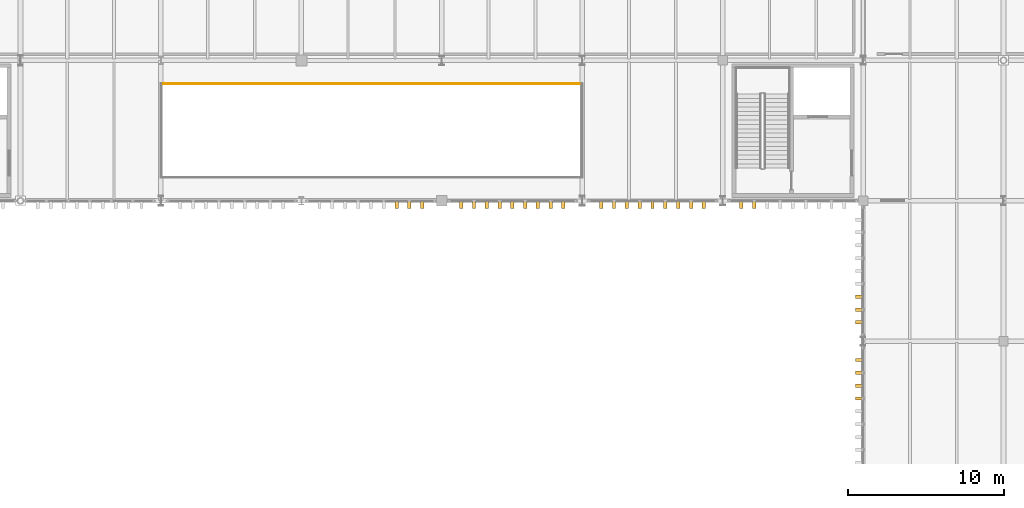
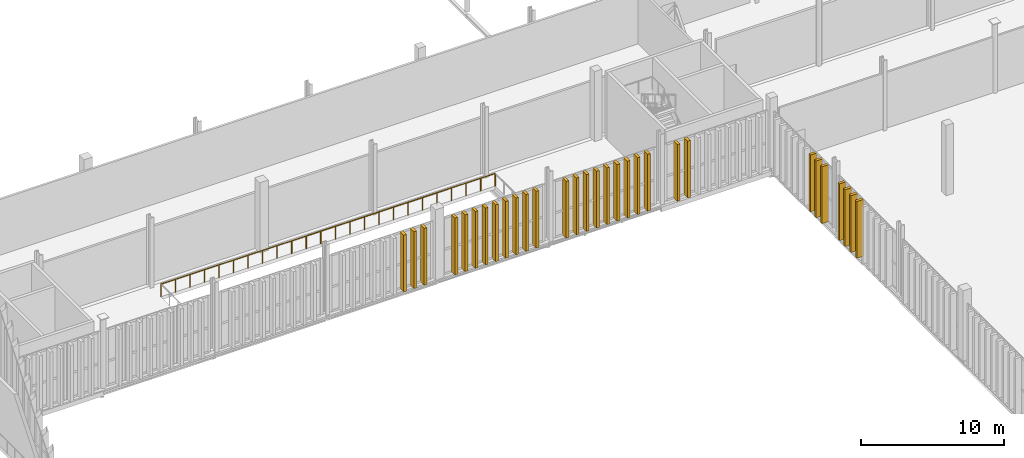
# One storey, part 220 of 237: 30 shading devices, 1 railing.
"""IFC4 building model written with IfcOpenShell, lengths in metres."""

from ifc_helpers import new_model, si_unit, direction, frame, origin, origin_2d, place, context, subcontext, project, spatial, rectangle, circle, extrude, material, type_object, element, save


model = new_model("IFC4")

# Units and contexts
model_context = context("Model", 3, precision=1e-05, world=origin(), true_north=direction((0.0, 1.0)))
body_context = subcontext(model_context, "Body", "Model", "MODEL_VIEW")
ifc_project = project(units=[si_unit("LENGTHUNIT", "METRE"), si_unit("AREAUNIT", "SQUARE_METRE"), si_unit("VOLUMEUNIT", "CUBIC_METRE"), si_unit("PLANEANGLEUNIT", "RADIAN"), si_unit("MASSUNIT", "GRAM", prefix="KILO")], contexts=[model_context])

# Site, building, storey
site_placement = place(None, origin())
site = spatial("IfcSite", under=ifc_project, at=site_placement, CompositionType="ELEMENT")
building_placement = place(site_placement, origin())
building = spatial("IfcBuilding", under=site, at=building_placement, Name="Barlavento Convention Centre", CompositionType="ELEMENT")
storey_placement = place(building_placement, frame((0.0, 0.0, 12.0)))
storey = spatial("IfcBuildingStorey", under=building, at=storey_placement, Name="L02", CompositionType="ELEMENT", Elevation=12.0)

# Railing
ifc_material_1 = material(Name="Stainless steel and laminated glass balustrade", Category="steel")
railing_type = type_object("IfcRailingType", Name="ARC-RAL-BAL-1100", PredefinedType="BALUSTRADE", material=ifc_material_1)
railing_placement = place(storey_placement, frame((108.0, 52.5, 0.0)))
element("IfcRailing", 1, at=railing_placement, inside=storey, type_object=railing_type, Name="L02 interior atrium or gallery balustrade GR01", PredefinedType="BALUSTRADE", context=body_context, shape_type="SweptSolid", body=[
    extrude(circle(Radius=0.02392578125, at=origin_2d()), frame((0.0, 0.0, 1.076171875), z_axis=(-1.0, 0.0, 0.0), x_axis=(0.0, -1.0, 0.0)), (0.0, 0.0, 1.0), 27.0),
    extrude(circle(Radius=0.02099609375, at=origin_2d()), origin(), (0.0, 0.0, 1.0), 1.052001953125),
    extrude(circle(Radius=0.02099609375, at=origin_2d()), frame((-1.173828125, 0.0, 0.0)), (0.0, 0.0, 1.0), 1.052001953125),
    extrude(circle(Radius=0.02099609375, at=origin_2d()), frame((-2.347900390625, 0.0, 0.0)), (0.0, 0.0, 1.0), 1.052001953125),
    extrude(circle(Radius=0.02099609375, at=origin_2d()), frame((-3.521728515625, 0.0, 0.0)), (0.0, 0.0, 1.0), 1.052001953125),
    extrude(circle(Radius=0.02099609375, at=origin_2d()), frame((-4.695556640625, 0.0, 0.0)), (0.0, 0.0, 1.0), 1.052001953125),
    extrude(circle(Radius=0.02099609375, at=origin_2d()), frame((-5.86962890625, 0.0, 0.0)), (0.0, 0.0, 1.0), 1.052001953125),
    extrude(circle(Radius=0.02099609375, at=origin_2d()), frame((-7.04345703125, 0.0, 0.0)), (0.0, 0.0, 1.0), 1.052001953125),
    extrude(circle(Radius=0.02099609375, at=origin_2d()), frame((-8.21728515625, 0.0, 0.0)), (0.0, 0.0, 1.0), 1.052001953125),
    extrude(circle(Radius=0.02099609375, at=origin_2d()), frame((-9.391357421875, 0.0, 0.0)), (0.0, 0.0, 1.0), 1.052001953125),
    extrude(circle(Radius=0.02099609375, at=origin_2d()), frame((-10.565185546875, 0.0, 0.0)), (0.0, 0.0, 1.0), 1.052001953125),
    extrude(circle(Radius=0.02099609375, at=origin_2d()), frame((-11.739013671875, 0.0, 0.0)), (0.0, 0.0, 1.0), 1.052001953125),
    extrude(circle(Radius=0.02099609375, at=origin_2d()), frame((-12.9130859375, 0.0, 0.0)), (0.0, 0.0, 1.0), 1.052001953125),
    extrude(circle(Radius=0.02099609375, at=origin_2d()), frame((-14.0869140625, 0.0, 0.0)), (0.0, 0.0, 1.0), 1.052001953125),
    extrude(circle(Radius=0.02099609375, at=origin_2d()), frame((-15.260986328125, 0.0, 0.0)), (0.0, 0.0, 1.0), 1.052001953125),
    extrude(circle(Radius=0.02099609375, at=origin_2d()), frame((-16.434814453125, 0.0, 0.0)), (0.0, 0.0, 1.0), 1.052001953125),
    extrude(circle(Radius=0.02099609375, at=origin_2d()), frame((-17.608642578125, 0.0, 0.0)), (0.0, 0.0, 1.0), 1.052001953125),
    extrude(circle(Radius=0.02099609375, at=origin_2d()), frame((-18.78271484375, 0.0, 0.0)), (0.0, 0.0, 1.0), 1.052001953125),
    extrude(circle(Radius=0.02099609375, at=origin_2d()), frame((-19.95654296875, 0.0, 0.0)), (0.0, 0.0, 1.0), 1.052001953125),
    extrude(circle(Radius=0.02099609375, at=origin_2d()), frame((-21.13037109375, 0.0, 0.0)), (0.0, 0.0, 1.0), 1.052001953125),
    extrude(circle(Radius=0.02099609375, at=origin_2d()), frame((-22.304443359375, 0.0, 0.0)), (0.0, 0.0, 1.0), 1.052001953125),
    extrude(circle(Radius=0.02099609375, at=origin_2d()), frame((-23.478271484375, 0.0, 0.0)), (0.0, 0.0, 1.0), 1.052001953125),
    extrude(circle(Radius=0.02099609375, at=origin_2d()), frame((-24.652099609375, 0.0, 0.0)), (0.0, 0.0, 1.0), 1.052001953125),
    extrude(circle(Radius=0.02099609375, at=origin_2d()), frame((-25.826171875, 0.0, 0.0)), (0.0, 0.0, 1.0), 1.052001953125),
    extrude(circle(Radius=0.02099609375, at=origin_2d()), frame((-27.0, 0.0, 0.0)), (0.0, 0.0, 1.0), 1.052001953125),
])

# Shading devices
ifc_material_2 = material(Name="PVDF white extruded aluminium", Category="aluminium")
shading_device_type = type_object("IfcShadingDeviceType", Name="ARC-SHD-FIN-480", PredefinedType="USERDEFINED", material=ifc_material_2)
for number, where, z_axis, x_axis, name in (
    (2, (96.1015625, 44.760009765625, 0.0), (0.0, 0.0, 1.0), (1.0, 0.0, 0.0), "White vertical solar shading fin VF01"),
    (3, (96.92431640625, 44.760009765625, 0.0), (0.0, 0.0, 1.0), (1.0, 0.0, 0.0), "White vertical solar shading fin VF01"),
    (4, (97.747314453125, 44.760009765625, 0.0), (0.0, 0.0, 1.0), (1.0, 0.0, 0.0), "White vertical solar shading fin VF01"),
    (5, (100.248046875, 44.760009765625, 0.0), (0.0, 0.0, 1.0), (1.0, 0.0, 0.0), "White vertical solar shading fin VF01"),
    (6, (101.06591796875, 44.760009765625, 0.0), (0.0, 0.0, 1.0), (1.0, 0.0, 0.0), "White vertical solar shading fin VF01"),
    (7, (101.884033203125, 44.760009765625, 0.0), (0.0, 0.0, 1.0), (1.0, 0.0, 0.0), "White vertical solar shading fin VF01"),
    (8, (102.701904296875, 44.760009765625, 0.0), (0.0, 0.0, 1.0), (1.0, 0.0, 0.0), "White vertical solar shading fin VF01"),
    (9, (103.52001953125, 44.760009765625, 0.0), (0.0, 0.0, 1.0), (1.0, 0.0, 0.0), "White vertical solar shading fin VF01"),
    (10, (104.337890625, 44.760009765625, 0.0), (0.0, 0.0, 1.0), (1.0, 0.0, 0.0), "White vertical solar shading fin VF01"),
    (11, (105.156005859375, 44.760009765625, 0.0), (0.0, 0.0, 1.0), (1.0, 0.0, 0.0), "White vertical solar shading fin VF01"),
    (12, (105.97412109375, 44.760009765625, 0.0), (0.0, 0.0, 1.0), (1.0, 0.0, 0.0), "White vertical solar shading fin VF01"),
    (13, (106.7919921875, 44.760009765625, 0.0), (0.0, 0.0, 1.0), (1.0, 0.0, 0.0), "White vertical solar shading fin VF01"),
    (14, (109.212890625, 44.760009765625, 0.0), (0.0, 0.0, 1.0), (1.0, 0.0, 0.0), "White vertical solar shading fin VF01"),
    (15, (110.035888671875, 44.760009765625, 0.0), (0.0, 0.0, 1.0), (1.0, 0.0, 0.0), "White vertical solar shading fin VF01"),
    (16, (110.85888671875, 44.760009765625, 0.0), (0.0, 0.0, 1.0), (1.0, 0.0, 0.0), "White vertical solar shading fin VF01"),
    (17, (111.681884765625, 44.760009765625, 0.0), (0.0, 0.0, 1.0), (1.0, 0.0, 0.0), "White vertical solar shading fin VF01"),
    (18, (112.5048828125, 44.760009765625, 0.0), (0.0, 0.0, 1.0), (1.0, 0.0, 0.0), "White vertical solar shading fin VF01"),
    (19, (113.327880859375, 44.760009765625, 0.0), (0.0, 0.0, 1.0), (1.0, 0.0, 0.0), "White vertical solar shading fin VF01"),
    (20, (114.15087890625, 44.760009765625, 0.0), (0.0, 0.0, 1.0), (1.0, 0.0, 0.0), "White vertical solar shading fin VF01"),
    (21, (114.97412109375, 44.760009765625, 0.0), (0.0, 0.0, 1.0), (1.0, 0.0, 0.0), "White vertical solar shading fin VF01"),
    (22, (115.797119140625, 44.760009765625, 0.0), (0.0, 0.0, 1.0), (1.0, 0.0, 0.0), "White vertical solar shading fin VF01"),
    (23, (118.2041015625, 44.760009765625, 0.0), (0.0, 0.0, 1.0), (1.0, 0.0, 0.0), "White vertical solar shading fin VF01"),
    (24, (119.028076171875, 44.760009765625, 0.0), (0.0, 0.0, 1.0), (1.0, 0.0, 0.0), "White vertical solar shading fin VF01"),
    (25, (125.760009765625, 32.327880859375, 0.0), (0.0, 0.0, 1.0), (0.0, 1.0, 0.0), "White vertical solar shading fin VF01"),
    (26, (125.760009765625, 33.15087890625, 0.0), (0.0, 0.0, 1.0), (0.0, 1.0, 0.0), "White vertical solar shading fin VF01"),
    (27, (125.760009765625, 33.97412109375, 0.0), (0.0, 0.0, 1.0), (0.0, 1.0, 0.0), "White vertical solar shading fin VF01"),
    (28, (125.760009765625, 34.797119140625, 0.0), (0.0, 0.0, 1.0), (0.0, 1.0, 0.0), "White vertical solar shading fin VF01"),
    (29, (125.760009765625, 37.2041015625, 0.0), (0.0, 0.0, 1.0), (0.0, 1.0, 0.0), "White vertical solar shading fin VF01"),
    (30, (125.760009765625, 38.028076171875, 0.0), (0.0, 0.0, 1.0), (0.0, 1.0, 0.0), "White vertical solar shading fin VF01"),
    (31, (125.760009765625, 38.85205078125, 0.0), (0.0, 0.0, 1.0), (0.0, 1.0, 0.0), "White vertical solar shading fin VF01"),
):
    element("IfcShadingDevice", number, at=place(storey_placement, frame(where, z_axis=z_axis, x_axis=x_axis)), inside=storey, type_object=shading_device_type, Name=name, ObjectType="FIN", PredefinedType="USERDEFINED", context=body_context, shape_type="SweptSolid", body=[
        extrude(rectangle(XDim=0.219970703125, YDim=0.52001953125, at=origin_2d()), origin(), (0.0, 0.0, 1.0), 4.85009765625),
    ])

save(model, "model.ifc")
